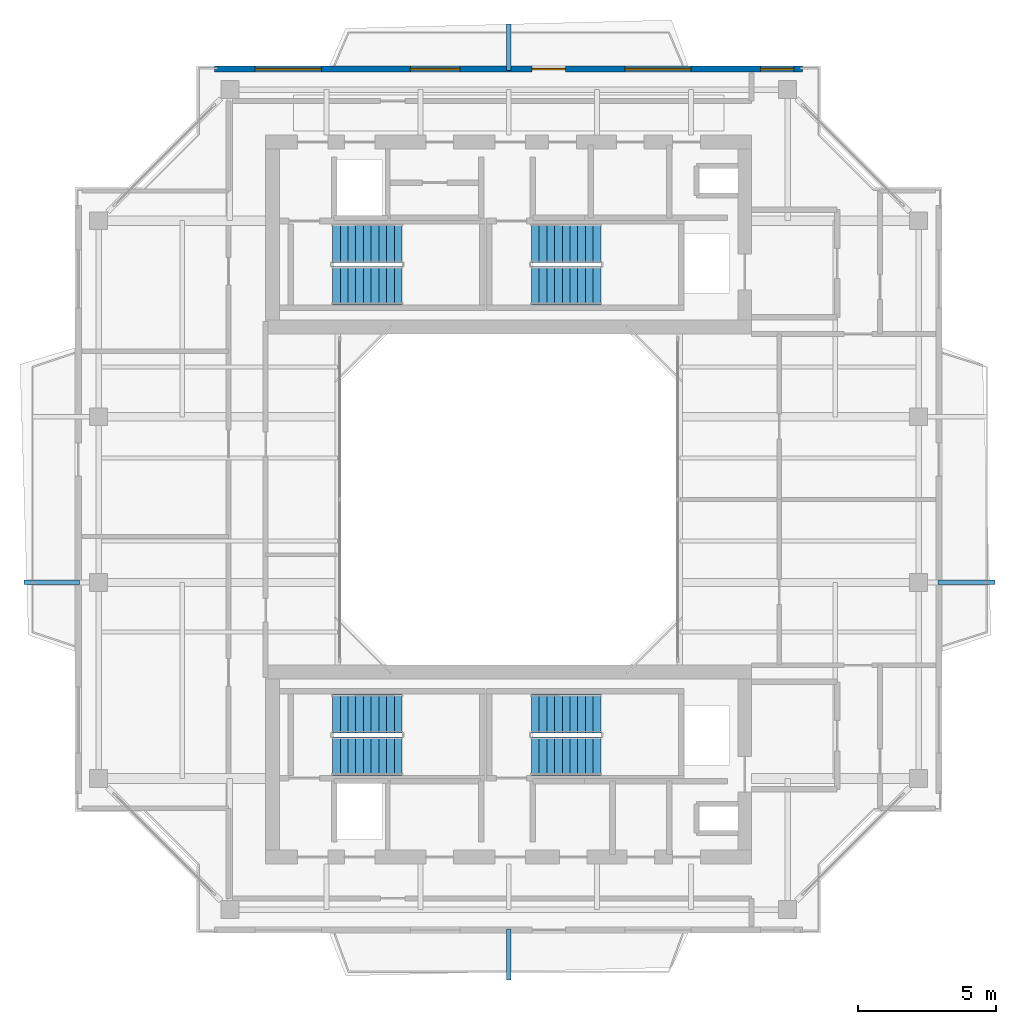
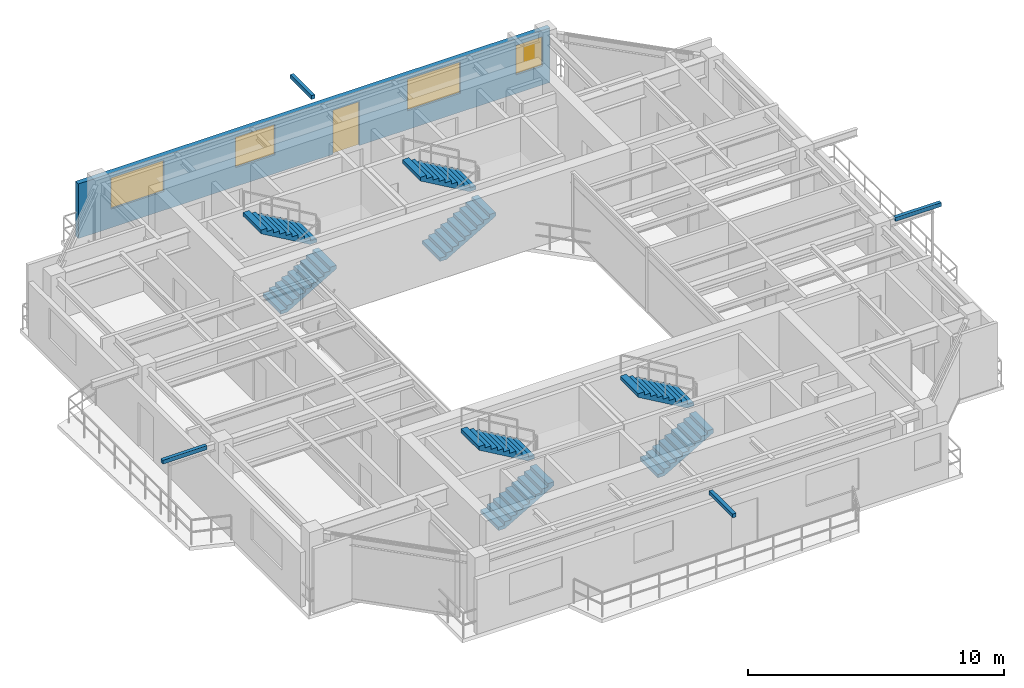
# One storey, part 12 of 14: 8 stair flights, 4 discrete accessories, 4 windows, 1 door, 1 wall, 5 openings, 4 elements without a shape of their own.
"""IFC4 building model written with IfcOpenShell, lengths in metres."""

from ifc_helpers import new_model, si_unit, direction, frame, frame_2d, origin, origin_2d, place, context, subcontext, project, spatial, polyline, rectangle, outline, extrude, source, transform, mapped, material, layer, layer_set, type_object, element, fill, aggregate, save


model = new_model("IFC4")

# Units and contexts
model_context = context("Model", 3, precision=1e-05, world=origin(), true_north=direction((0.0, 1.0)))
body_context = subcontext(model_context, "Body", "Model", "MODEL_VIEW")
ifc_project = project(units=[si_unit("LENGTHUNIT", "METRE"), si_unit("AREAUNIT", "SQUARE_METRE"), si_unit("VOLUMEUNIT", "CUBIC_METRE"), si_unit("PLANEANGLEUNIT", "RADIAN"), si_unit("MASSUNIT", "GRAM", prefix="KILO"), si_unit("THERMODYNAMICTEMPERATUREUNIT", "KELVIN"), si_unit("POWERUNIT", "WATT")], contexts=[model_context])

# Site, building, storey
site_placement = place(None, origin())
site = spatial("IfcSite", under=ifc_project, at=site_placement, CompositionType="ELEMENT")
building_placement = place(site_placement, origin())
building = spatial("IfcBuilding", under=site, at=building_placement, Name="Qiaomeng Ring Towers", CompositionType="ELEMENT")
storey_placement = place(building_placement, frame((0.0, 0.0, 240.5)))
storey = spatial("IfcBuildingStorey", under=building, at=storey_placement, Name="L70", CompositionType="ELEMENT", Elevation=240.5)

# Wall, openings, windows, door
ifc_material_1 = material(Name="Precast concrete C40", Category="concrete")
ifc_layer = layer(ifc_material_1, 0.219970703125, Name="Precast concrete C40")
ifc_layer_set = layer_set([ifc_layer], Name="Precast concrete C40")
wall_type = type_object("IfcWallType", Name="ARC-WL-EW2", PredefinedType="STANDARD", material=ifc_layer_set)
wall_placement = place(storey_placement, frame((8.35009765625, 38.590087890625, 0.0), z_axis=(0.0, 0.0, 1.0), x_axis=(1.0, 0.0, 0.0)))
wall = element("IfcWall", 1, at=wall_placement, inside=storey, type_object=wall_type, Name="L70 Tower 1 N Exterior Wall", PredefinedType="STANDARD", context=body_context, shape_type="SweptSolid", body=[
    extrude(rectangle(XDim=21.2998046875, YDim=0.219970703125, at=frame_2d((10.64990234375, 0.0))), origin(), (0.0, 0.0, 1.0), 2.610107421875),
])
opening_1_placement = place(wall_placement, frame((11.5, 0.0, 0.0)))
opening_1 = element("IfcOpeningElement", 2, at=opening_1_placement, cuts=wall, Name="Opening BD1", PredefinedType="OPENING", context=body_context, shape_type="SweptSolid", body=[
    extrude(rectangle(XDim=1.199951171875, YDim=2.10009765625, at=frame_2d((0.60009765625, 1.050048828125))), frame((0.0, 0.119873046875, 0.0), z_axis=(0.0, -1.0, 0.0), x_axis=(1.0, 0.0, 0.0)), (0.0, 0.0, 1.0), 0.239990234375),
])
opening_2_placement = place(wall_placement, frame((1.462890625, 0.0, 0.89990234375)))
opening_2 = element("IfcOpeningElement", 3, at=opening_2_placement, cuts=wall, Name="Opening WN6", PredefinedType="OPENING", context=body_context, shape_type="SweptSolid", body=[
    extrude(rectangle(XDim=2.39990234375, YDim=1.47998046875, at=frame_2d((1.199951171875, 0.739990234375))), frame((0.0, 0.119873046875, 0.0), z_axis=(0.0, -1.0, 0.0), x_axis=(1.0, 0.0, 0.0)), (0.0, 0.0, 1.0), 0.239990234375),
])
opening_3_placement = place(wall_placement, frame((7.087890625, 0.0, 0.89990234375)))
opening_3 = element("IfcOpeningElement", 4, at=opening_3_placement, cuts=wall, Name="Opening WN1", PredefinedType="OPENING", context=body_context, shape_type="SweptSolid", body=[
    extrude(rectangle(XDim=1.800048828125, YDim=1.449951171875, at=frame_2d((0.89990234375, 0.72509765625))), frame((0.0, 0.119873046875, 0.0), z_axis=(0.0, -1.0, 0.0), x_axis=(1.0, 0.0, 0.0)), (0.0, 0.0, 1.0), 0.239990234375),
])
opening_4_placement = place(wall_placement, frame((19.77490234375, 0.0, 0.89990234375)))
opening_4 = element("IfcOpeningElement", 5, at=opening_4_placement, cuts=wall, Name="Opening WN3", PredefinedType="OPENING", context=body_context, shape_type="SweptSolid", body=[
    extrude(rectangle(XDim=1.199951171875, YDim=1.39990234375, at=frame_2d((0.60009765625, 0.699951171875))), frame((0.0, 0.119873046875, 0.0), z_axis=(0.0, -1.0, 0.0), x_axis=(1.0, 0.0, 0.0)), (0.0, 0.0, 1.0), 0.239990234375),
])
opening_5_placement = place(wall_placement, frame((14.860107421875, 0.0, 0.89990234375)))
opening_5 = element("IfcOpeningElement", 6, at=opening_5_placement, cuts=wall, Name="Opening WN6", PredefinedType="OPENING", context=body_context, shape_type="SweptSolid", body=[
    extrude(rectangle(XDim=2.39990234375, YDim=1.5, at=frame_2d((1.199951171875, 0.75))), frame((0.0, 0.119873046875, 0.0), z_axis=(0.0, -1.0, 0.0), x_axis=(1.0, 0.0, 0.0)), (0.0, 0.0, 1.0), 0.239990234375),
])
ifc_material_2 = material(Name="Low-E dark-grey laminated double glazing", Category="glass")
window_type_1 = type_object("IfcWindowType", Name="ARC-WN-1", PartitioningType="DOUBLE_PANEL_VERTICAL", PredefinedType="WINDOW", material=ifc_material_2)
shared_shape_1 = source(origin(), body_context, "Body", "SweptSolid", [
    extrude(rectangle(XDim=1.800048828125, YDim=1.449951171875, at=frame_2d((0.89990234375, 0.72509765625))), frame((0.0, 0.030029296875, 0.0), z_axis=(0.0, -1.0, 0.0), x_axis=(1.0, 0.0, 0.0)), (0.0, 0.0, 1.0), 0.06005859375),
])
window_1_placement = place(opening_3_placement, origin())
window_1 = element("IfcWindow", 7, at=window_1_placement, inside=storey, type_object=window_type_1, Name="L70 Exterior Window WN1", OverallHeight=1.449951171875, OverallWidth=1.800048828125, PartitioningType="DOUBLE_PANEL_VERTICAL", PredefinedType="WINDOW", context=body_context, shape_type="MappedRepresentation", body=[
    mapped(shared_shape_1, transform((0.0, 0.0, 0.0), x_axis=(1.0, 0.0, 0.0), y_axis=(0.0, 1.0, 0.0), z_axis=(0.0, 0.0, 1.0), scale=1.0)),
])
fill(opening_3, window_1)
window_type_2 = type_object("IfcWindowType", Name="ARC-WN-6", PartitioningType="TRIPLE_PANEL_VERTICAL", PredefinedType="WINDOW", material=ifc_material_2)
shared_shape_2 = source(origin(), body_context, "Body", "SweptSolid", [
    extrude(rectangle(XDim=2.39990234375, YDim=1.47998046875, at=frame_2d((1.199951171875, 0.739990234375))), frame((0.0, 0.030029296875, 0.0), z_axis=(0.0, -1.0, 0.0), x_axis=(1.0, 0.0, 0.0)), (0.0, 0.0, 1.0), 0.06005859375),
])
window_2_placement = place(opening_2_placement, origin())
window_2 = element("IfcWindow", 8, at=window_2_placement, inside=storey, type_object=window_type_2, Name="L70 Exterior Window WN6", OverallHeight=1.47998046875, OverallWidth=2.39990234375, PartitioningType="TRIPLE_PANEL_VERTICAL", PredefinedType="WINDOW", context=body_context, shape_type="MappedRepresentation", body=[
    mapped(shared_shape_2, transform((0.0, 0.0, 0.0), x_axis=(1.0, 0.0, 0.0), y_axis=(0.0, 1.0, 0.0), z_axis=(0.0, 0.0, 1.0), scale=1.0)),
])
fill(opening_2, window_2)
door_type = type_object("IfcDoorType", Name="ARC-DR-BD1", OperationType="NOTDEFINED", PredefinedType="DOOR", material=ifc_material_2)
shared_shape_3 = source(origin(), body_context, "Body", "SweptSolid", [
    extrude(rectangle(XDim=1.199951171875, YDim=2.10009765625, at=frame_2d((0.60009765625, 1.050048828125))), frame((0.0, 0.02490234375, 0.0), z_axis=(0.0, -1.0, 0.0), x_axis=(1.0, 0.0, 0.0)), (0.0, 0.0, 1.0), 0.050048828125),
])
door_placement = place(opening_1_placement, origin())
door = element("IfcDoor", 9, at=door_placement, inside=storey, type_object=door_type, Name="L70 N Balcony Glazed Door", OperationType="SINGLE_SWING_LEFT", OverallHeight=2.10009765625, OverallWidth=1.199951171875, PredefinedType="DOOR", context=body_context, shape_type="MappedRepresentation", body=[
    mapped(shared_shape_3, transform((0.0, 0.0, 0.0), x_axis=(1.0, 0.0, 0.0), y_axis=(0.0, 1.0, 0.0), z_axis=(0.0, 0.0, 1.0), scale=1.0)),
])
fill(opening_1, door)
shared_shape_4 = source(origin(), body_context, "Body", "SweptSolid", [
    extrude(rectangle(XDim=2.39990234375, YDim=1.5, at=frame_2d((1.199951171875, 0.75))), frame((0.0, 0.030029296875, 0.0), z_axis=(0.0, -1.0, 0.0), x_axis=(1.0, 0.0, 0.0)), (0.0, 0.0, 1.0), 0.06005859375),
])
window_3_placement = place(opening_5_placement, origin())
window_3 = element("IfcWindow", 10, at=window_3_placement, inside=storey, type_object=window_type_2, Name="L70 Exterior Window WN6", OverallHeight=1.5, OverallWidth=2.39990234375, PartitioningType="TRIPLE_PANEL_VERTICAL", PredefinedType="WINDOW", context=body_context, shape_type="MappedRepresentation", body=[
    mapped(shared_shape_4, transform((0.0, 0.0, 0.0), x_axis=(1.0, 0.0, 0.0), y_axis=(0.0, 1.0, 0.0), z_axis=(0.0, 0.0, 1.0), scale=1.0)),
])
fill(opening_5, window_3)
window_type_3 = type_object("IfcWindowType", Name="ARC-WN-3", PartitioningType="SINGLE_PANEL", PredefinedType="WINDOW", material=ifc_material_2)
shared_shape_5 = source(origin(), body_context, "Body", "SweptSolid", [
    extrude(rectangle(XDim=1.199951171875, YDim=1.39990234375, at=frame_2d((0.60009765625, 0.699951171875))), frame((0.0, 0.030029296875, 0.0), z_axis=(0.0, -1.0, 0.0), x_axis=(1.0, 0.0, 0.0)), (0.0, 0.0, 1.0), 0.06005859375),
])
window_4_placement = place(opening_4_placement, origin())
window_4 = element("IfcWindow", 11, at=window_4_placement, inside=storey, type_object=window_type_3, Name="L70 Exterior Window WN4", OverallHeight=1.39990234375, OverallWidth=1.199951171875, PartitioningType="TRIPLE_PANEL_VERTICAL", PredefinedType="WINDOW", context=body_context, shape_type="MappedRepresentation", body=[
    mapped(shared_shape_5, transform((0.0, 0.0, 0.0), x_axis=(1.0, 0.0, 0.0), y_axis=(0.0, 1.0, 0.0), z_axis=(0.0, 0.0, 1.0), scale=1.0)),
])
fill(opening_4, window_4)

# Stair, stair flights
stair_type = type_object("IfcStairType", Name="ARC-ST-325", PredefinedType="HALF_TURN_STAIR", material=ifc_material_1)
stair_1_placement = place(storey_placement, origin())
stair_1 = element("IfcStair", 12, at=stair_1_placement, inside=storey, type_object=stair_type, Name="L70 Tower 1 North Stair 1", PredefinedType="HALF_TURN_STAIR")
stair_flight_type = type_object("IfcStairFlightType", Name="ARC-ST-325-FL", PredefinedType="STRAIGHT", material=ifc_material_1)
shared_shape_6 = source(origin(), body_context, "Body", "SweptSolid", [
    extrude(outline(polyline([(0.0, 0.0), (0.0, 0.16259765625), (0.280029296875, 0.16259765625), (0.280029296875, 0.324951171875), (0.56005859375, 0.324951171875), (0.56005859375, 0.487548828125), (0.840087890625, 0.487548828125), (0.840087890625, 0.64990234375), (1.1201171875, 0.64990234375), (1.1201171875, 0.8125), (1.39990234375, 0.8125), (1.39990234375, 0.97509765625), (1.679931640625, 0.97509765625), (1.679931640625, 1.137451171875), (1.9599609375, 1.137451171875), (1.9599609375, 1.300048828125), (2.239990234375, 1.300048828125), (2.239990234375, 1.46240234375), (2.52001953125, 1.46240234375), (2.52001953125, 1.625), (2.52001953125, 1.2890625), (0.298583984375, 0.0), (0.0, 0.0)])), frame((0.0, 0.699951171875, 0.0), z_axis=(0.0, -1.0, 0.0), x_axis=(1.0, 0.0, 0.0)), (0.0, 0.0, 1.0), 1.39990234375),
])
stair_flight_1_placement = place(storey_placement, frame((12.6201171875, 30.75, 0.0), z_axis=(0.0, 0.0, 1.0), x_axis=(1.0, 0.0, 0.0)))
stair_flight_1 = element("IfcStairFlight", 13, at=stair_flight_1_placement, type_object=stair_flight_type, Name="ST1 flight 1", NumberOfRisers=10, NumberOfTreads=9, PredefinedType="STRAIGHT", RiserHeight=0.1625, TreadLength=0.28, context=body_context, shape_type="MappedRepresentation", body=[
    mapped(shared_shape_6, transform((0.0, 0.0, 0.0), x_axis=(1.0, 0.0, 0.0), y_axis=(0.0, 1.0, 0.0), z_axis=(0.0, 0.0, 1.0), scale=1.0)),
])
stair_flight_2_placement = place(storey_placement, frame((15.139892578125, 32.2900390625, 1.625), z_axis=(0.0, 0.0, 1.0), x_axis=(-1.0, 0.0, 0.0)))
stair_flight_2 = element("IfcStairFlight", 14, at=stair_flight_2_placement, type_object=stair_flight_type, Name="ST1 flight 2", NumberOfRisers=10, NumberOfTreads=9, PredefinedType="STRAIGHT", RiserHeight=0.1625, TreadLength=0.28, context=body_context, shape_type="MappedRepresentation", body=[
    mapped(shared_shape_6, transform((0.0, 0.0, 0.0), x_axis=(1.0, 0.0, 0.0), y_axis=(0.0, 1.0, 0.0), z_axis=(0.0, 0.0, 1.0), scale=1.0)),
])
aggregate(stair_1, [stair_flight_1, stair_flight_2])

stair_2_placement = place(storey_placement, origin())
stair_2 = element("IfcStair", 15, at=stair_2_placement, inside=storey, type_object=stair_type, Name="L70 Tower 1 North Stair 2", PredefinedType="HALF_TURN_STAIR")
stair_flight_3_placement = place(storey_placement, frame((19.820068359375, 30.75, 0.0), z_axis=(0.0, 0.0, 1.0), x_axis=(1.0, 0.0, 0.0)))
stair_flight_3 = element("IfcStairFlight", 16, at=stair_flight_3_placement, type_object=stair_flight_type, Name="ST2 flight 1", NumberOfRisers=10, NumberOfTreads=9, PredefinedType="STRAIGHT", RiserHeight=0.1625, TreadLength=0.28, context=body_context, shape_type="MappedRepresentation", body=[
    mapped(shared_shape_6, transform((0.0, 0.0, 0.0), x_axis=(1.0, 0.0, 0.0), y_axis=(0.0, 1.0, 0.0), z_axis=(0.0, 0.0, 1.0), scale=1.0)),
])
stair_flight_4_placement = place(storey_placement, frame((22.340087890625, 32.2900390625, 1.625), z_axis=(0.0, 0.0, 1.0), x_axis=(-1.0, 0.0, 0.0)))
stair_flight_4 = element("IfcStairFlight", 17, at=stair_flight_4_placement, type_object=stair_flight_type, Name="ST2 flight 2", NumberOfRisers=10, NumberOfTreads=9, PredefinedType="STRAIGHT", RiserHeight=0.1625, TreadLength=0.28, context=body_context, shape_type="MappedRepresentation", body=[
    mapped(shared_shape_6, transform((0.0, 0.0, 0.0), x_axis=(1.0, 0.0, 0.0), y_axis=(0.0, 1.0, 0.0), z_axis=(0.0, 0.0, 1.0), scale=1.0)),
])
aggregate(stair_2, [stair_flight_3, stair_flight_4])

stair_3_placement = place(storey_placement, origin())
stair_3 = element("IfcStair", 18, at=stair_3_placement, inside=storey, type_object=stair_type, Name="L70 Tower 1 South Stair 3", PredefinedType="HALF_TURN_STAIR")
stair_flight_5_placement = place(storey_placement, frame((12.6201171875, 13.7099609375, 0.0), z_axis=(0.0, 0.0, 1.0), x_axis=(1.0, 0.0, 0.0)))
stair_flight_5 = element("IfcStairFlight", 19, at=stair_flight_5_placement, type_object=stair_flight_type, Name="ST3 flight 1", NumberOfRisers=10, NumberOfTreads=9, PredefinedType="STRAIGHT", RiserHeight=0.1625, TreadLength=0.28, context=body_context, shape_type="MappedRepresentation", body=[
    mapped(shared_shape_6, transform((0.0, 0.0, 0.0), x_axis=(1.0, 0.0, 0.0), y_axis=(0.0, 1.0, 0.0), z_axis=(0.0, 0.0, 1.0), scale=1.0)),
])
stair_flight_6_placement = place(storey_placement, frame((15.139892578125, 15.25, 1.625), z_axis=(0.0, 0.0, 1.0), x_axis=(-1.0, 0.0, 0.0)))
stair_flight_6 = element("IfcStairFlight", 20, at=stair_flight_6_placement, type_object=stair_flight_type, Name="ST3 flight 2", NumberOfRisers=10, NumberOfTreads=9, PredefinedType="STRAIGHT", RiserHeight=0.1625, TreadLength=0.28, context=body_context, shape_type="MappedRepresentation", body=[
    mapped(shared_shape_6, transform((0.0, 0.0, 0.0), x_axis=(1.0, 0.0, 0.0), y_axis=(0.0, 1.0, 0.0), z_axis=(0.0, 0.0, 1.0), scale=1.0)),
])
aggregate(stair_3, [stair_flight_5, stair_flight_6])

stair_4_placement = place(storey_placement, origin())
stair_4 = element("IfcStair", 21, at=stair_4_placement, inside=storey, type_object=stair_type, Name="L70 Tower 1 South Stair 4", PredefinedType="HALF_TURN_STAIR")
stair_flight_7_placement = place(storey_placement, frame((19.820068359375, 13.7099609375, 0.0), z_axis=(0.0, 0.0, 1.0), x_axis=(1.0, 0.0, 0.0)))
stair_flight_7 = element("IfcStairFlight", 22, at=stair_flight_7_placement, type_object=stair_flight_type, Name="ST4 flight 1", NumberOfRisers=10, NumberOfTreads=9, PredefinedType="STRAIGHT", RiserHeight=0.1625, TreadLength=0.28, context=body_context, shape_type="MappedRepresentation", body=[
    mapped(shared_shape_6, transform((0.0, 0.0, 0.0), x_axis=(1.0, 0.0, 0.0), y_axis=(0.0, 1.0, 0.0), z_axis=(0.0, 0.0, 1.0), scale=1.0)),
])
stair_flight_8_placement = place(storey_placement, frame((22.340087890625, 15.25, 1.625), z_axis=(0.0, 0.0, 1.0), x_axis=(-1.0, 0.0, 0.0)))
stair_flight_8 = element("IfcStairFlight", 23, at=stair_flight_8_placement, type_object=stair_flight_type, Name="ST4 flight 2", NumberOfRisers=10, NumberOfTreads=9, PredefinedType="STRAIGHT", RiserHeight=0.1625, TreadLength=0.28, context=body_context, shape_type="MappedRepresentation", body=[
    mapped(shared_shape_6, transform((0.0, 0.0, 0.0), x_axis=(1.0, 0.0, 0.0), y_axis=(0.0, 1.0, 0.0), z_axis=(0.0, 0.0, 1.0), scale=1.0)),
])
aggregate(stair_4, [stair_flight_7, stair_flight_8])

# Discrete accessories
ifc_material_3 = material(Name="Stainless steel 316", Category="steel")
discrete_accessory_type = type_object("IfcDiscreteAccessoryType", Name="ARC-ACC-BRACKET", PredefinedType="BRACKET", material=ifc_material_3)
shared_shape_7 = source(origin(), body_context, "Body", "SweptSolid", [
    extrude(rectangle(XDim=0.159912109375, YDim=1.85009765625, at=origin_2d()), origin(), (0.0, 0.0, 1.0), 0.179931640625),
])
discrete_accessory_1_placement = place(storey_placement, frame((19.0, 6.52490234375, 2.89990234375), z_axis=(0.0, 0.0, 1.0), x_axis=(1.0, 0.0, 0.0)))
element("IfcDiscreteAccessory", 24, at=discrete_accessory_1_placement, inside=storey, type_object=discrete_accessory_type, Name="L70 Stainless Outer-Skin Tie Bracket S", PredefinedType="BRACKET", context=body_context, shape_type="MappedRepresentation", body=[
    mapped(shared_shape_7, transform((0.0, 0.0, 0.0), x_axis=(1.0, 0.0, 0.0), y_axis=(0.0, 1.0, 0.0), z_axis=(0.0, 0.0, 1.0), scale=1.0)),
])
shared_shape_8 = source(origin(), body_context, "Body", "SweptSolid", [
    extrude(rectangle(XDim=0.159912109375, YDim=1.669921875, at=origin_2d()), origin(), (0.0, 0.0, 1.0), 0.179931640625),
])
discrete_accessory_2_placement = place(storey_placement, frame((19.0, 39.385009765625, 2.89990234375), z_axis=(0.0, 0.0, 1.0), x_axis=(1.0, 0.0, 0.0)))
element("IfcDiscreteAccessory", 25, at=discrete_accessory_2_placement, inside=storey, type_object=discrete_accessory_type, Name="L70 Stainless Outer-Skin Tie Bracket N", PredefinedType="BRACKET", context=body_context, shape_type="MappedRepresentation", body=[
    mapped(shared_shape_8, transform((0.0, 0.0, 0.0), x_axis=(1.0, 0.0, 0.0), y_axis=(0.0, 1.0, 0.0), z_axis=(0.0, 0.0, 1.0), scale=1.0)),
])
shared_shape_9 = source(origin(), body_context, "Body", "SweptSolid", [
    extrude(rectangle(XDim=2.0, YDim=0.159912109375, at=origin_2d()), origin(), (0.0, 0.0, 1.0), 0.179931640625),
])
discrete_accessory_3_placement = place(storey_placement, frame((2.449951171875, 20.0, 2.89990234375), z_axis=(0.0, 0.0, 1.0), x_axis=(1.0, 0.0, 0.0)))
element("IfcDiscreteAccessory", 26, at=discrete_accessory_3_placement, inside=storey, type_object=discrete_accessory_type, Name="L70 Stainless Outer-Skin Tie Bracket W", PredefinedType="BRACKET", context=body_context, shape_type="MappedRepresentation", body=[
    mapped(shared_shape_9, transform((0.0, 0.0, 0.0), x_axis=(1.0, 0.0, 0.0), y_axis=(0.0, 1.0, 0.0), z_axis=(0.0, 0.0, 1.0), scale=1.0)),
])
shared_shape_10 = source(origin(), body_context, "Body", "SweptSolid", [
    extrude(rectangle(XDim=2.070068359375, YDim=0.159912109375, at=origin_2d()), origin(), (0.0, 0.0, 1.0), 0.179931640625),
])
discrete_accessory_4_placement = place(storey_placement, frame((35.5849609375, 20.0, 2.89990234375), z_axis=(0.0, 0.0, 1.0), x_axis=(1.0, 0.0, 0.0)))
element("IfcDiscreteAccessory", 27, at=discrete_accessory_4_placement, inside=storey, type_object=discrete_accessory_type, Name="L70 Stainless Outer-Skin Tie Bracket E", PredefinedType="BRACKET", context=body_context, shape_type="MappedRepresentation", body=[
    mapped(shared_shape_10, transform((0.0, 0.0, 0.0), x_axis=(1.0, 0.0, 0.0), y_axis=(0.0, 1.0, 0.0), z_axis=(0.0, 0.0, 1.0), scale=1.0)),
])

save(model, "model.ifc")
